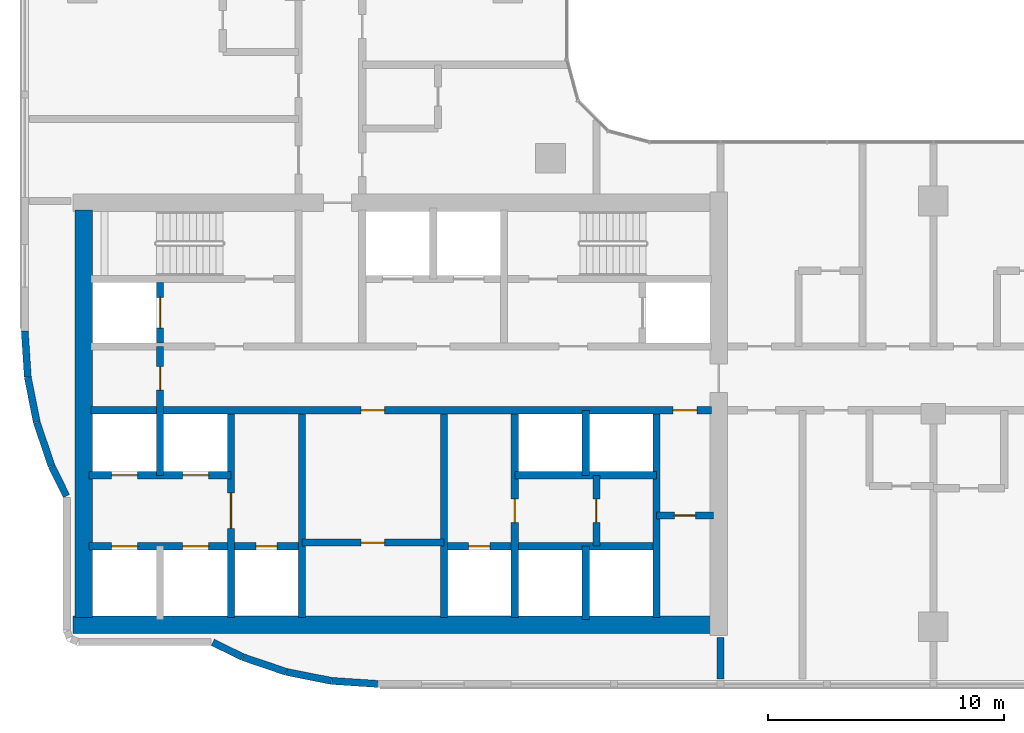
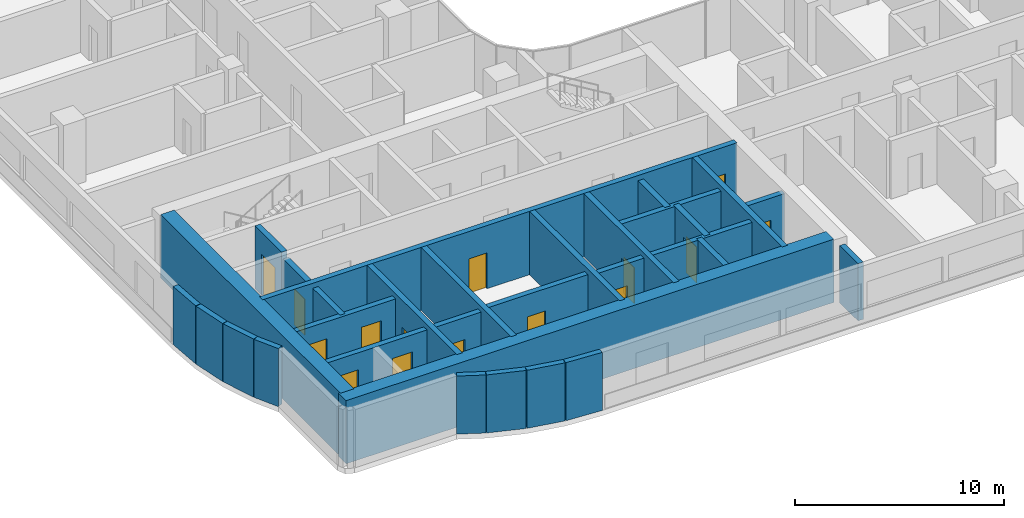
# One storey, part 10 of 23: 28 walls, 15 doors, 15 openings.
"""IFC4 building model written with IfcOpenShell, lengths in metres."""

from ifc_helpers import new_model, si_unit, direction, frame, frame_2d, origin, place, context, subcontext, project, spatial, rectangle, extrude, material, layer, layer_set, type_object, element, fill, save


model = new_model("IFC4")

# Units and contexts
model_context = context("Model", 3, precision=1e-05, world=origin(), true_north=direction((0.0, 1.0)))
body_context = subcontext(model_context, "Body", "Model", "MODEL_VIEW")
ifc_project = project(units=[si_unit("LENGTHUNIT", "METRE"), si_unit("AREAUNIT", "SQUARE_METRE"), si_unit("VOLUMEUNIT", "CUBIC_METRE"), si_unit("PLANEANGLEUNIT", "RADIAN"), si_unit("MASSUNIT", "GRAM", prefix="KILO")], contexts=[model_context])

# Site, building, storey
site_placement = place(None, origin())
site = spatial("IfcSite", under=ifc_project, at=site_placement, CompositionType="ELEMENT")
building_placement = place(site_placement, origin())
building = spatial("IfcBuilding", under=site, at=building_placement, Name="Ogive Portal Towers", CompositionType="ELEMENT")
storey_placement = place(building_placement, frame((0.0, 0.0, 120.39990234375)))
storey = spatial("IfcBuildingStorey", under=building, at=storey_placement, Name="L29", CompositionType="ELEMENT", Elevation=120.39990234375)

# Wall, opening, door
ifc_material_1 = material(Name="Concrete C60/75", Category="concrete")
ifc_layer_1 = layer(ifc_material_1, 0.300048828125)
ifc_layer_set_1 = layer_set([ifc_layer_1], Name="CORE WALL 300 C60")
wall_type_1 = type_object("IfcWallType", Name="CORE WALL 300 C60", PredefinedType="SHEAR", material=ifc_layer_set_1)
wall_1_placement = place(storey_placement, frame((37.800048828125, 21.875, 0.0), z_axis=(0.0, 0.0, 1.0), x_axis=(0.0, 1.0, 0.0)))
wall_1 = element("IfcWall", 1, at=wall_1_placement, inside=storey, type_object=wall_type_1, Name="Core wall X1 L29", PredefinedType="SHEAR", context=body_context, shape_type="SweptSolid", body=[
    extrude(rectangle(XDim=8.625, YDim=0.300048828125, at=frame_2d((4.3125, 0.0))), origin(), (0.0, 0.0, 1.0), 3.7001953125),
])
opening_1_placement = place(wall_1_placement, frame((3.77490234375, 0.0, 0.0)))
opening_1 = element("IfcOpeningElement", 2, at=opening_1_placement, cuts=wall_1, Name="Opening D10-001", PredefinedType="OPENING", context=body_context, shape_type="SweptSolid", body=[
    extrude(rectangle(XDim=1.5, YDim=2.10009765625, at=frame_2d((0.75, 1.050048828125))), frame((0.0, 0.16015625, 0.0), z_axis=(0.0, -1.0, 0.0), x_axis=(1.0, 0.0, 0.0)), (0.0, 0.0, 1.0), 0.320068359375),
])
ifc_material_2 = material(Name="Steel fire door", Category="steel")
door_type_1 = type_object("IfcDoorType", Name="DT-SWING-1500x2100-FD90S", OperationType="SINGLE_SWING_LEFT", PredefinedType="DOOR", material=ifc_material_2)
door_1_placement = place(opening_1_placement, origin())
door_1 = element("IfcDoor", 3, at=door_1_placement, inside=storey, type_object=door_type_1, Name="Door D10-001", OperationType="SINGLE_SWING_LEFT", OverallHeight=2.10009765625, OverallWidth=1.5, PredefinedType="DOOR", context=body_context, shape_type="SweptSolid", body=[
    extrude(rectangle(XDim=1.5, YDim=2.10009765625, at=frame_2d((0.75, 1.050048828125))), frame((0.0, 0.02490234375, 0.0), z_axis=(0.0, -1.0, 0.0), x_axis=(1.0, 0.0, 0.0)), (0.0, 0.0, 1.0), 0.050048828125),
])
fill(opening_1, door_1)

# Walls
for number, where, z_axis, x_axis, name in (
    (4, (40.800048828125, 21.875, 0.0), (0.0, 0.0, 1.0), (0.0, 1.0, 0.0), "Core wall X2 L29"),
    (5, (46.800048828125, 21.875, 0.0), (0.0, 0.0, 1.0), (0.0, 1.0, 0.0), "Core wall X3 L29"),
):
    element("IfcWall", number, at=place(storey_placement, frame(where, z_axis=z_axis, x_axis=x_axis)), inside=storey, type_object=wall_type_1, Name=name, PredefinedType="SHEAR", context=body_context, shape_type="SweptSolid", body=[
        extrude(rectangle(XDim=8.625, YDim=0.300048828125, at=frame_2d((4.3125, 0.0))), origin(), (0.0, 0.0, 1.0), 3.7001953125),
    ])

# Wall, opening, door
wall_2_placement = place(storey_placement, frame((49.800048828125, 21.875, 0.0), z_axis=(0.0, 0.0, 1.0), x_axis=(0.0, 1.0, 0.0)))
wall_2 = element("IfcWall", 6, at=wall_2_placement, inside=storey, type_object=wall_type_1, Name="Core wall X4 L29", PredefinedType="SHEAR", context=body_context, shape_type="SweptSolid", body=[
    extrude(rectangle(XDim=8.625, YDim=0.300048828125, at=frame_2d((4.3125, 0.0))), origin(), (0.0, 0.0, 1.0), 3.7001953125),
])
opening_2_placement = place(wall_2_placement, frame((4.02490234375, 0.0, 0.0)))
opening_2 = element("IfcOpeningElement", 7, at=opening_2_placement, cuts=wall_2, Name="Opening D10-023", PredefinedType="OPENING", context=body_context, shape_type="SweptSolid", body=[
    extrude(rectangle(XDim=1.0, YDim=2.10009765625, at=frame_2d((0.5, 1.050048828125))), frame((0.0, 0.16015625, 0.0), z_axis=(0.0, -1.0, 0.0), x_axis=(1.0, 0.0, 0.0)), (0.0, 0.0, 1.0), 0.320068359375),
])
door_type_2 = type_object("IfcDoorType", Name="DT-SWING-1000x2100-FD90S", OperationType="SINGLE_SWING_LEFT", PredefinedType="DOOR", material=ifc_material_2)
door_2_placement = place(opening_2_placement, origin())
door_2 = element("IfcDoor", 8, at=door_2_placement, inside=storey, type_object=door_type_2, Name="Door D10-023", OperationType="SINGLE_SWING_LEFT", OverallHeight=2.10009765625, OverallWidth=1.0, PredefinedType="DOOR", context=body_context, shape_type="SweptSolid", body=[
    extrude(rectangle(XDim=1.0, YDim=2.10009765625, at=frame_2d((0.5, 1.050048828125))), frame((0.0, 0.02490234375, 0.0), z_axis=(0.0, -1.0, 0.0), x_axis=(1.0, 0.0, 0.0)), (0.0, 0.0, 1.0), 0.050048828125),
])
fill(opening_2, door_2)

# Wall
wall_3_placement = place(storey_placement, frame((55.800048828125, 21.875, 0.0), z_axis=(0.0, 0.0, 1.0), x_axis=(0.0, 1.0, 0.0)))
element("IfcWall", 9, at=wall_3_placement, inside=storey, type_object=wall_type_1, Name="Core wall X5 L29", PredefinedType="SHEAR", context=body_context, shape_type="SweptSolid", body=[
    extrude(rectangle(XDim=8.625, YDim=0.300048828125, at=frame_2d((4.3125, 0.0))), origin(), (0.0, 0.0, 1.0), 3.7001953125),
])

# Wall, openings, doors
wall_4_placement = place(storey_placement, frame((31.875, 30.64990234375, 0.0), z_axis=(0.0, 0.0, 1.0), x_axis=(1.0, 0.0, 0.0)))
wall_4 = element("IfcWall", 10, at=wall_4_placement, inside=storey, type_object=wall_type_1, Name="Core wall Y1 L29", PredefinedType="SHEAR", context=body_context, shape_type="SweptSolid", body=[
    extrude(rectangle(XDim=26.25, YDim=0.300048828125, at=frame_2d((13.125, 0.0))), origin(), (0.0, 0.0, 1.0), 3.7001953125),
])
opening_3_placement = place(wall_4_placement, frame((24.625, 0.0, 0.0)))
opening_3 = element("IfcOpeningElement", 11, at=opening_3_placement, cuts=wall_4, Name="Opening D10-009", PredefinedType="OPENING", context=body_context, shape_type="SweptSolid", body=[
    extrude(rectangle(XDim=1.0, YDim=2.10009765625, at=frame_2d((0.5, 1.050048828125))), frame((0.0, 0.16015625, 0.0), z_axis=(0.0, -1.0, 0.0), x_axis=(1.0, 0.0, 0.0)), (0.0, 0.0, 1.0), 0.320068359375),
])
opening_4_placement = place(wall_4_placement, frame((11.425048828125, 0.0, 0.0)))
opening_4 = element("IfcOpeningElement", 12, at=opening_4_placement, cuts=wall_4, Name="Opening D10-021", PredefinedType="OPENING", context=body_context, shape_type="SweptSolid", body=[
    extrude(rectangle(XDim=1.0, YDim=2.10009765625, at=frame_2d((0.5, 1.050048828125))), frame((0.0, 0.16015625, 0.0), z_axis=(0.0, -1.0, 0.0), x_axis=(1.0, 0.0, 0.0)), (0.0, 0.0, 1.0), 0.320068359375),
])
door_3_placement = place(opening_3_placement, origin())
door_3 = element("IfcDoor", 13, at=door_3_placement, inside=storey, type_object=door_type_2, Name="Door D10-009", OperationType="SINGLE_SWING_LEFT", OverallHeight=2.10009765625, OverallWidth=1.0, PredefinedType="DOOR", context=body_context, shape_type="SweptSolid", body=[
    extrude(rectangle(XDim=1.0, YDim=2.10009765625, at=frame_2d((0.5, 1.050048828125))), frame((0.0, 0.02490234375, 0.0), z_axis=(0.0, -1.0, 0.0), x_axis=(1.0, 0.0, 0.0)), (0.0, 0.0, 1.0), 0.050048828125),
])
fill(opening_3, door_3)
door_4_placement = place(opening_4_placement, origin())
door_4 = element("IfcDoor", 14, at=door_4_placement, inside=storey, type_object=door_type_2, Name="Door D10-021", OperationType="SINGLE_SWING_LEFT", OverallHeight=2.10009765625, OverallWidth=1.0, PredefinedType="DOOR", context=body_context, shape_type="SweptSolid", body=[
    extrude(rectangle(XDim=1.0, YDim=2.10009765625, at=frame_2d((0.5, 1.050048828125))), frame((0.0, 0.02490234375, 0.0), z_axis=(0.0, -1.0, 0.0), x_axis=(1.0, 0.0, 0.0)), (0.0, 0.0, 1.0), 0.050048828125),
])
fill(opening_4, door_4)

# Wall, opening, door
wall_5_placement = place(storey_placement, frame((34.800048828125, 33.5, 0.0), z_axis=(0.0, 0.0, 1.0), x_axis=(0.0, 1.0, 0.0)))
wall_5 = element("IfcWall", 15, at=wall_5_placement, inside=storey, type_object=wall_type_1, Name="Core wall X8 L29", PredefinedType="SHEAR", context=body_context, shape_type="SweptSolid", body=[
    extrude(rectangle(XDim=2.550048828125, YDim=0.300048828125, at=frame_2d((1.27490234375, 0.0))), origin(), (0.0, 0.0, 1.0), 3.7001953125),
])
opening_5_placement = place(wall_5_placement, frame((0.625, 0.0, 0.0)))
opening_5 = element("IfcOpeningElement", 16, at=opening_5_placement, cuts=wall_5, Name="Opening D10-019", PredefinedType="OPENING", context=body_context, shape_type="SweptSolid", body=[
    extrude(rectangle(XDim=1.300048828125, YDim=2.39990234375, at=frame_2d((0.64990234375, 1.199951171875))), frame((0.0, 0.16015625, 0.0), z_axis=(0.0, -1.0, 0.0), x_axis=(1.0, 0.0, 0.0)), (0.0, 0.0, 1.0), 0.320068359375),
])
ifc_material_3 = material(Name="Stainless steel", Category="steel")
door_type_3 = type_object("IfcDoorType", Name="DT-LD-1300x2400", OperationType="SLIDING_TO_LEFT", PredefinedType="DOOR", material=ifc_material_3)
door_5_placement = place(opening_5_placement, origin())
door_5 = element("IfcDoor", 17, at=door_5_placement, inside=storey, type_object=door_type_3, Name="Door D10-019", OperationType="SLIDING_TO_LEFT", OverallHeight=2.39990234375, OverallWidth=1.300048828125, PredefinedType="DOOR", context=body_context, shape_type="SweptSolid", body=[
    extrude(rectangle(XDim=1.300048828125, YDim=2.39990234375, at=frame_2d((0.64990234375, 1.199951171875))), frame((0.0, 0.02490234375, 0.0), z_axis=(0.0, -1.0, 0.0), x_axis=(1.0, 0.0, 0.0)), (0.0, 0.0, 1.0), 0.050048828125),
])
fill(opening_5, door_5)

# Walls
ifc_layer_2 = layer(ifc_material_1, 0.75)
ifc_layer_set_2 = layer_set([ifc_layer_2], Name="CORE WALL 750 C60")
wall_type_2 = type_object("IfcWallType", Name="CORE WALL 750 C60", PredefinedType="SHEAR", material=ifc_layer_set_2)
wall_6_placement = place(storey_placement, frame((31.574951171875, 21.875, 0.0), z_axis=(0.0, 0.0, 1.0), x_axis=(0.0, 1.0, 0.0)))
element("IfcWall", 18, at=wall_6_placement, inside=storey, type_object=wall_type_2, Name="Core wall W L29", PredefinedType="SHEAR", context=body_context, shape_type="SweptSolid", body=[
    extrude(rectangle(XDim=17.25, YDim=0.75, at=frame_2d((8.625, 0.0))), origin(), (0.0, 0.0, 1.0), 3.7001953125),
])
wall_7_placement = place(storey_placement, frame((31.125, 21.574951171875, 0.0), z_axis=(0.0, 0.0, 1.0), x_axis=(1.0, 0.0, 0.0)))
element("IfcWall", 19, at=wall_7_placement, inside=storey, type_object=wall_type_2, Name="Core wall S L29", PredefinedType="SHEAR", context=body_context, shape_type="SweptSolid", body=[
    extrude(rectangle(XDim=27.0, YDim=0.75, at=frame_2d((13.5, 0.0))), origin(), (0.0, 0.0, 1.0), 3.7001953125),
])
ifc_material_4 = material(Name="Limestone cladding on lightweight block wall", Category="masonry")
ifc_layer_3 = layer(ifc_material_4, 0.300048828125)
ifc_layer_set_3 = layer_set([ifc_layer_3], Name="EXTERNAL WALL 300 STONE")
wall_type_3 = type_object("IfcWallType", Name="EXTERNAL WALL 300 STONE", PredefinedType="SOLIDWALL", material=ifc_layer_set_3)
wall_8_placement = place(storey_placement, frame((37.02490234375, 20.83447265625, 0.0), z_axis=(0.0, 0.0, 1.0), x_axis=(0.896925860522, -0.442180959254, 0.0)))
element("IfcWall", 20, at=wall_8_placement, inside=storey, type_object=wall_type_3, Name="A:L29:f04:r0:wall", PredefinedType="SOLIDWALL", context=body_context, shape_type="SweptSolid", body=[
    extrude(rectangle(XDim=1.399169921875, YDim=0.300048828125, at=frame_2d((0.69970703125, 0.0))), origin(), (0.0, 0.0, 1.0), 3.400146484375),
])
wall_9_placement = place(storey_placement, frame((38.2978515625, 20.208251953125, 0.0), z_axis=(0.0, 0.0, 1.0), x_axis=(0.946912791905, -0.321490535672, 0.0)))
element("IfcWall", 21, at=wall_9_placement, inside=storey, type_object=wall_type_3, Name="A:L29:f05:r0:wall", PredefinedType="SOLIDWALL", context=body_context, shape_type="SweptSolid", body=[
    extrude(rectangle(XDim=1.9326171875, YDim=0.300048828125, at=frame_2d((0.96630859375, 0.0))), origin(), (0.0, 0.0, 1.0), 3.400146484375),
])
wall_10_placement = place(storey_placement, frame((40.14697265625, 19.58203125, 0.0), z_axis=(0.0, 0.0, 1.0), x_axis=(0.980764889473, -0.195192806162, 0.0)))
element("IfcWall", 22, at=wall_10_placement, inside=storey, type_object=wall_type_3, Name="A:L29:f06:r0:wall", PredefinedType="SOLIDWALL", context=body_context, shape_type="SweptSolid", body=[
    extrude(rectangle(XDim=1.932373046875, YDim=0.300048828125, at=frame_2d((0.96630859375, 0.0))), origin(), (0.0, 0.0, 1.0), 3.400146484375),
])
for number, where, z_axis, x_axis, name in (
    (23, (42.061767578125, 19.202392578125, 0.0), (0.0, 0.0, 1.0), (0.997861789646, -0.065359381612, 0.0), "A:L29:f07:r0:wall"),
    (24, (29.075439453125, 34.0, 0.0), (0.0, 0.0, 1.0), (0.065359381612, -0.997861789646, 0.0), "A:L29:f28:r0:wall"),
):
    element("IfcWall", number, at=place(storey_placement, frame(where, z_axis=z_axis, x_axis=x_axis)), inside=storey, type_object=wall_type_3, Name=name, PredefinedType="SOLIDWALL", context=body_context, shape_type="SweptSolid", body=[
        extrude(rectangle(XDim=1.9423828125, YDim=0.300048828125, at=frame_2d((0.97119140625, 0.0))), origin(), (0.0, 0.0, 1.0), 3.400146484375),
    ])
wall_11_placement = place(storey_placement, frame((29.204833984375, 32.042236328125, 0.0), z_axis=(0.0, 0.0, 1.0), x_axis=(0.195192806162, -0.980764889473, 0.0)))
element("IfcWall", 25, at=wall_11_placement, inside=storey, type_object=wall_type_3, Name="A:L29:f29:r0:wall", PredefinedType="SOLIDWALL", context=body_context, shape_type="SweptSolid", body=[
    extrude(rectangle(XDim=1.932373046875, YDim=0.300048828125, at=frame_2d((0.96630859375, 0.0))), origin(), (0.0, 0.0, 1.0), 3.400146484375),
])
wall_12_placement = place(storey_placement, frame((29.5869140625, 30.1279296875, 0.0), z_axis=(0.0, 0.0, 1.0), x_axis=(0.321490535672, -0.946912791905, 0.0)))
element("IfcWall", 26, at=wall_12_placement, inside=storey, type_object=wall_type_3, Name="A:L29:f30:r0:wall", PredefinedType="SOLIDWALL", context=body_context, shape_type="SweptSolid", body=[
    extrude(rectangle(XDim=1.9326171875, YDim=0.300048828125, at=frame_2d((0.96630859375, 0.0))), origin(), (0.0, 0.0, 1.0), 3.400146484375),
])
wall_13_placement = place(storey_placement, frame((30.2158203125, 28.27978515625, 0.0), z_axis=(0.0, 0.0, 1.0), x_axis=(0.442180959254, -0.896925860522, 0.0)))
element("IfcWall", 27, at=wall_13_placement, inside=storey, type_object=wall_type_3, Name="A:L29:f31:r0:wall", PredefinedType="SOLIDWALL", context=body_context, shape_type="SweptSolid", body=[
    extrude(rectangle(XDim=1.399169921875, YDim=0.300048828125, at=frame_2d((0.69970703125, 0.0))), origin(), (0.0, 0.0, 1.0), 3.400146484375),
])

# Wall, opening, door
ifc_material_5 = material(Name="Gypsum board partition on steel studs", Category="steel")
ifc_layer_4 = layer(ifc_material_5, 0.300048828125)
ifc_layer_set_4 = layer_set([ifc_layer_4], Name="WT-PART-300")
wall_type_4 = type_object("IfcWallType", Name="WT-PART-300", PredefinedType="PARTITIONING", material=ifc_layer_set_4)
wall_14_placement = place(storey_placement, frame((40.800048828125, 25.050048828125, 0.0), z_axis=(0.0, 0.0, 1.0), x_axis=(1.0, 0.0, 0.0)))
wall_14 = element("IfcWall", 28, at=wall_14_placement, inside=storey, type_object=wall_type_4, Name="Wall pw:003:L29", PredefinedType="PARTITIONING", context=body_context, shape_type="SweptSolid", body=[
    extrude(rectangle(XDim=6.0, YDim=0.300048828125, at=frame_2d((3.0, 0.0))), origin(), (0.0, 0.0, 1.0), 3.400146484375),
])
opening_6_placement = place(wall_14_placement, frame((2.5, 0.0, 0.0)))
opening_6 = element("IfcOpeningElement", 29, at=opening_6_placement, cuts=wall_14, Name="Opening D10-022", PredefinedType="OPENING", context=body_context, shape_type="SweptSolid", body=[
    extrude(rectangle(XDim=1.0, YDim=2.10009765625, at=frame_2d((0.5, 1.050048828125))), frame((0.0, 0.16015625, 0.0), z_axis=(0.0, -1.0, 0.0), x_axis=(1.0, 0.0, 0.0)), (0.0, 0.0, 1.0), 0.320068359375),
])
door_type_4 = type_object("IfcDoorType", Name="DT-SWING-1000x2100-FD60S", OperationType="SINGLE_SWING_LEFT", PredefinedType="DOOR", material=ifc_material_2)
door_6_placement = place(opening_6_placement, origin())
door_6 = element("IfcDoor", 30, at=door_6_placement, inside=storey, type_object=door_type_4, Name="Door D10-022", OperationType="SINGLE_SWING_RIGHT", OverallHeight=2.10009765625, OverallWidth=1.0, PredefinedType="DOOR", context=body_context, shape_type="SweptSolid", body=[
    extrude(rectangle(XDim=1.0, YDim=2.10009765625, at=frame_2d((0.5, 1.050048828125))), frame((0.0, 0.02490234375, 0.0), z_axis=(0.0, -1.0, 0.0), x_axis=(1.0, 0.0, 0.0)), (0.0, 0.0, 1.0), 0.050048828125),
])
fill(opening_6, door_6)

wall_15_placement = place(storey_placement, frame((55.800048828125, 26.199951171875, 0.0), z_axis=(0.0, 0.0, 1.0), x_axis=(1.0, 0.0, 0.0)))
wall_15 = element("IfcWall", 31, at=wall_15_placement, inside=storey, type_object=wall_type_4, Name="Wall pw:004:L29", PredefinedType="PARTITIONING", context=body_context, shape_type="SweptSolid", body=[
    extrude(rectangle(XDim=2.39990234375, YDim=0.300048828125, at=frame_2d((1.199951171875, 0.0))), origin(), (0.0, 0.0, 1.0), 3.400146484375),
])
opening_7_placement = place(wall_15_placement, frame((0.75, 0.0, 0.0)))
opening_7 = element("IfcOpeningElement", 32, at=opening_7_placement, cuts=wall_15, Name="Opening D10-010", PredefinedType="OPENING", context=body_context, shape_type="SweptSolid", body=[
    extrude(rectangle(XDim=0.89990234375, YDim=2.10009765625, at=frame_2d((0.449951171875, 1.050048828125))), frame((0.0, 0.16015625, 0.0), z_axis=(0.0, -1.0, 0.0), x_axis=(1.0, 0.0, 0.0)), (0.0, 0.0, 1.0), 0.320068359375),
])
door_type_5 = type_object("IfcDoorType", Name="DT-SWING-900x2100-FD60S", OperationType="SINGLE_SWING_LEFT", PredefinedType="DOOR", material=ifc_material_2)
door_7_placement = place(opening_7_placement, origin())
door_7 = element("IfcDoor", 33, at=door_7_placement, inside=storey, type_object=door_type_5, Name="Door D10-010", OperationType="SINGLE_SWING_RIGHT", OverallHeight=2.10009765625, OverallWidth=0.89990234375, PredefinedType="DOOR", context=body_context, shape_type="SweptSolid", body=[
    extrude(rectangle(XDim=0.89990234375, YDim=2.10009765625, at=frame_2d((0.449951171875, 1.050048828125))), frame((0.0, 0.02490234375, 0.0), z_axis=(0.0, -1.0, 0.0), x_axis=(1.0, 0.0, 0.0)), (0.0, 0.0, 1.0), 0.050048828125),
])
fill(opening_7, door_7)

# Wall
ifc_layer_5 = layer(ifc_material_5, 0.300048828125)
ifc_layer_set_5 = layer_set([ifc_layer_5], Name="WT-PART-300-EI 60")
wall_type_5 = type_object("IfcWallType", Name="WT-PART-300-EI 60", PredefinedType="PARTITIONING", material=ifc_layer_set_5)
wall_16_placement = place(storey_placement, frame((58.5, 19.27490234375, 0.0), z_axis=(0.0, 0.0, 1.0), x_axis=(0.0, 1.0, 0.0)))
element("IfcWall", 34, at=wall_16_placement, inside=storey, type_object=wall_type_5, Name="Wall L29:w046", PredefinedType="PARTITIONING", context=body_context, shape_type="SweptSolid", body=[
    extrude(rectangle(XDim=1.755126953125, YDim=0.300048828125, at=frame_2d((0.87744140625, 0.0))), origin(), (0.0, 0.0, 1.0), 3.35009765625),
])

# Wall, openings, doors
ifc_material_6 = material(Name="Concrete C40/50", Category="concrete")
ifc_layer_6 = layer(ifc_material_6, 0.300048828125)
ifc_layer_set_6 = layer_set([ifc_layer_6], Name="WT-SHAFT-300")
wall_type_6 = type_object("IfcWallType", Name="WT-SHAFT-300", PredefinedType="SOLIDWALL", material=ifc_layer_set_6)
wall_17_placement = place(storey_placement, frame((31.800048828125, 24.89990234375, 0.0), z_axis=(0.0, 0.0, 1.0), x_axis=(1.0, 0.0, 0.0)))
wall_17 = element("IfcWall", 35, at=wall_17_placement, inside=storey, type_object=wall_type_6, Name="Wall pw:001:L29", PredefinedType="SOLIDWALL", context=body_context, shape_type="SweptSolid", body=[
    extrude(rectangle(XDim=9.0, YDim=0.300048828125, at=frame_2d((4.5, 0.0))), origin(), (0.0, 0.0, 1.0), 3.400146484375),
])
opening_8_placement = place(wall_17_placement, frame((7.050048828125, 0.0, 0.0)))
opening_8 = element("IfcOpeningElement", 36, at=opening_8_placement, cuts=wall_17, Name="Opening D10-007", PredefinedType="OPENING", context=body_context, shape_type="SweptSolid", body=[
    extrude(rectangle(XDim=0.89990234375, YDim=2.10009765625, at=frame_2d((0.449951171875, 1.050048828125))), frame((0.0, 0.16015625, 0.0), z_axis=(0.0, -1.0, 0.0), x_axis=(1.0, 0.0, 0.0)), (0.0, 0.0, 1.0), 0.320068359375),
])
opening_9_placement = place(wall_17_placement, frame((0.949951171875, 0.0, 0.0)))
opening_9 = element("IfcOpeningElement", 37, at=opening_9_placement, cuts=wall_17, Name="Opening D10-013", PredefinedType="OPENING", context=body_context, shape_type="SweptSolid", body=[
    extrude(rectangle(XDim=1.10009765625, YDim=2.39990234375, at=frame_2d((0.550048828125, 1.199951171875))), frame((0.0, 0.16015625, 0.0), z_axis=(0.0, -1.0, 0.0), x_axis=(1.0, 0.0, 0.0)), (0.0, 0.0, 1.0), 0.320068359375),
])
opening_10_placement = place(wall_17_placement, frame((3.949951171875, 0.0, 0.0)))
opening_10 = element("IfcOpeningElement", 38, at=opening_10_placement, cuts=wall_17, Name="Opening D10-014", PredefinedType="OPENING", context=body_context, shape_type="SweptSolid", body=[
    extrude(rectangle(XDim=1.10009765625, YDim=2.39990234375, at=frame_2d((0.550048828125, 1.199951171875))), frame((0.0, 0.16015625, 0.0), z_axis=(0.0, -1.0, 0.0), x_axis=(1.0, 0.0, 0.0)), (0.0, 0.0, 1.0), 0.320068359375),
])
door_type_6 = type_object("IfcDoorType", Name="DT-LD-1100x2400", OperationType="SLIDING_TO_LEFT", PredefinedType="DOOR", material=ifc_material_3)
door_8_placement = place(opening_9_placement, origin())
door_8 = element("IfcDoor", 39, at=door_8_placement, inside=storey, type_object=door_type_6, Name="Door D10-013", OperationType="SLIDING_TO_LEFT", OverallHeight=2.39990234375, OverallWidth=1.10009765625, PredefinedType="DOOR", context=body_context, shape_type="SweptSolid", body=[
    extrude(rectangle(XDim=1.10009765625, YDim=2.39990234375, at=frame_2d((0.550048828125, 1.199951171875))), frame((0.0, 0.02490234375, 0.0), z_axis=(0.0, -1.0, 0.0), x_axis=(1.0, 0.0, 0.0)), (0.0, 0.0, 1.0), 0.050048828125),
])
fill(opening_9, door_8)
door_9_placement = place(opening_10_placement, origin())
door_9 = element("IfcDoor", 40, at=door_9_placement, inside=storey, type_object=door_type_6, Name="Door D10-014", OperationType="SLIDING_TO_LEFT", OverallHeight=2.39990234375, OverallWidth=1.10009765625, PredefinedType="DOOR", context=body_context, shape_type="SweptSolid", body=[
    extrude(rectangle(XDim=1.10009765625, YDim=2.39990234375, at=frame_2d((0.550048828125, 1.199951171875))), frame((0.0, 0.02490234375, 0.0), z_axis=(0.0, -1.0, 0.0), x_axis=(1.0, 0.0, 0.0)), (0.0, 0.0, 1.0), 0.050048828125),
])
fill(opening_10, door_9)
door_type_7 = type_object("IfcDoorType", Name="DT-SWING-900x2100-FD90S", OperationType="SINGLE_SWING_LEFT", PredefinedType="DOOR", material=ifc_material_2)
door_10_placement = place(opening_8_placement, origin())
door_10 = element("IfcDoor", 41, at=door_10_placement, inside=storey, type_object=door_type_7, Name="Riser access door D10-007", OperationType="SINGLE_SWING_LEFT", OverallHeight=2.10009765625, OverallWidth=0.89990234375, PredefinedType="DOOR", context=body_context, shape_type="SweptSolid", body=[
    extrude(rectangle(XDim=0.89990234375, YDim=2.10009765625, at=frame_2d((0.449951171875, 1.050048828125))), frame((0.0, 0.02490234375, 0.0), z_axis=(0.0, -1.0, 0.0), x_axis=(1.0, 0.0, 0.0)), (0.0, 0.0, 1.0), 0.050048828125),
])
fill(opening_8, door_10)

# Wall, opening, door
wall_18_placement = place(storey_placement, frame((46.800048828125, 24.89990234375, 0.0), z_axis=(0.0, 0.0, 1.0), x_axis=(1.0, 0.0, 0.0)))
wall_18 = element("IfcWall", 42, at=wall_18_placement, inside=storey, type_object=wall_type_6, Name="Wall pw:002:L29", PredefinedType="SOLIDWALL", context=body_context, shape_type="SweptSolid", body=[
    extrude(rectangle(XDim=9.0, YDim=0.300048828125, at=frame_2d((4.5, 0.0))), origin(), (0.0, 0.0, 1.0), 3.400146484375),
])
opening_11_placement = place(wall_18_placement, frame((1.050048828125, 0.0, 0.0)))
opening_11 = element("IfcOpeningElement", 43, at=opening_11_placement, cuts=wall_18, Name="Opening D10-008", PredefinedType="OPENING", context=body_context, shape_type="SweptSolid", body=[
    extrude(rectangle(XDim=0.89990234375, YDim=2.10009765625, at=frame_2d((0.449951171875, 1.050048828125))), frame((0.0, 0.16015625, 0.0), z_axis=(0.0, -1.0, 0.0), x_axis=(1.0, 0.0, 0.0)), (0.0, 0.0, 1.0), 0.320068359375),
])
door_11_placement = place(opening_11_placement, origin())
door_11 = element("IfcDoor", 44, at=door_11_placement, inside=storey, type_object=door_type_7, Name="Riser access door D10-008", OperationType="SINGLE_SWING_RIGHT", OverallHeight=2.10009765625, OverallWidth=0.89990234375, PredefinedType="DOOR", context=body_context, shape_type="SweptSolid", body=[
    extrude(rectangle(XDim=0.89990234375, YDim=2.10009765625, at=frame_2d((0.449951171875, 1.050048828125))), frame((0.0, 0.02490234375, 0.0), z_axis=(0.0, -1.0, 0.0), x_axis=(1.0, 0.0, 0.0)), (0.0, 0.0, 1.0), 0.050048828125),
])
fill(opening_11, door_11)

# Wall, openings, doors
wall_19_placement = place(storey_placement, frame((31.800048828125, 27.89990234375, 0.0), z_axis=(0.0, 0.0, 1.0), x_axis=(1.0, 0.0, 0.0)))
wall_19 = element("IfcWall", 45, at=wall_19_placement, inside=storey, type_object=wall_type_6, Name="Wall pw:005:L29", PredefinedType="SOLIDWALL", context=body_context, shape_type="SweptSolid", body=[
    extrude(rectangle(XDim=6.0, YDim=0.300048828125, at=frame_2d((3.0, 0.0))), origin(), (0.0, 0.0, 1.0), 3.400146484375),
])
opening_12_placement = place(wall_19_placement, frame((0.949951171875, 0.0, 0.0)))
opening_12 = element("IfcOpeningElement", 46, at=opening_12_placement, cuts=wall_19, Name="Opening D10-015", PredefinedType="OPENING", context=body_context, shape_type="SweptSolid", body=[
    extrude(rectangle(XDim=1.10009765625, YDim=2.39990234375, at=frame_2d((0.550048828125, 1.199951171875))), frame((0.0, 0.16015625, 0.0), z_axis=(0.0, -1.0, 0.0), x_axis=(1.0, 0.0, 0.0)), (0.0, 0.0, 1.0), 0.320068359375),
])
opening_13_placement = place(wall_19_placement, frame((3.949951171875, 0.0, 0.0)))
opening_13 = element("IfcOpeningElement", 47, at=opening_13_placement, cuts=wall_19, Name="Opening D10-016", PredefinedType="OPENING", context=body_context, shape_type="SweptSolid", body=[
    extrude(rectangle(XDim=1.10009765625, YDim=2.39990234375, at=frame_2d((0.550048828125, 1.199951171875))), frame((0.0, 0.16015625, 0.0), z_axis=(0.0, -1.0, 0.0), x_axis=(1.0, 0.0, 0.0)), (0.0, 0.0, 1.0), 0.320068359375),
])
door_12_placement = place(opening_12_placement, origin())
door_12 = element("IfcDoor", 48, at=door_12_placement, inside=storey, type_object=door_type_6, Name="Door D10-015", OperationType="SLIDING_TO_LEFT", OverallHeight=2.39990234375, OverallWidth=1.10009765625, PredefinedType="DOOR", context=body_context, shape_type="SweptSolid", body=[
    extrude(rectangle(XDim=1.10009765625, YDim=2.39990234375, at=frame_2d((0.550048828125, 1.199951171875))), frame((0.0, 0.02490234375, 0.0), z_axis=(0.0, -1.0, 0.0), x_axis=(1.0, 0.0, 0.0)), (0.0, 0.0, 1.0), 0.050048828125),
])
fill(opening_12, door_12)
door_13_placement = place(opening_13_placement, origin())
door_13 = element("IfcDoor", 49, at=door_13_placement, inside=storey, type_object=door_type_6, Name="Door D10-016", OperationType="SLIDING_TO_LEFT", OverallHeight=2.39990234375, OverallWidth=1.10009765625, PredefinedType="DOOR", context=body_context, shape_type="SweptSolid", body=[
    extrude(rectangle(XDim=1.10009765625, YDim=2.39990234375, at=frame_2d((0.550048828125, 1.199951171875))), frame((0.0, 0.02490234375, 0.0), z_axis=(0.0, -1.0, 0.0), x_axis=(1.0, 0.0, 0.0)), (0.0, 0.0, 1.0), 0.050048828125),
])
fill(opening_13, door_13)

# Wall
wall_20_placement = place(storey_placement, frame((49.800048828125, 27.89990234375, 0.0), z_axis=(0.0, 0.0, 1.0), x_axis=(1.0, 0.0, 0.0)))
element("IfcWall", 50, at=wall_20_placement, inside=storey, type_object=wall_type_6, Name="Wall pw:006:L29", PredefinedType="SOLIDWALL", context=body_context, shape_type="SweptSolid", body=[
    extrude(rectangle(XDim=6.0, YDim=0.300048828125, at=frame_2d((3.0, 0.0))), origin(), (0.0, 0.0, 1.0), 3.400146484375),
])

# Wall, opening, door
wall_21_placement = place(storey_placement, frame((34.800048828125, 27.89990234375, 0.0), z_axis=(0.0, 0.0, 1.0), x_axis=(0.0, 1.0, 0.0)))
wall_21 = element("IfcWall", 51, at=wall_21_placement, inside=storey, type_object=wall_type_6, Name="Wall pw:008:L29", PredefinedType="SOLIDWALL", context=body_context, shape_type="SweptSolid", body=[
    extrude(rectangle(XDim=5.4501953125, YDim=0.300048828125, at=frame_2d((2.72509765625, 0.0))), origin(), (0.0, 0.0, 1.0), 3.400146484375),
])
opening_14_placement = place(wall_21_placement, frame((3.60009765625, 0.0, 0.0)))
opening_14 = element("IfcOpeningElement", 52, at=opening_14_placement, cuts=wall_21, Name="Opening D10-025", PredefinedType="OPENING", context=body_context, shape_type="SweptSolid", body=[
    extrude(rectangle(XDim=1.0, YDim=2.10009765625, at=frame_2d((0.5, 1.050048828125))), frame((0.0, 0.16015625, 0.0), z_axis=(0.0, -1.0, 0.0), x_axis=(1.0, 0.0, 0.0)), (0.0, 0.0, 1.0), 0.320068359375),
])
door_14_placement = place(opening_14_placement, origin())
door_14 = element("IfcDoor", 53, at=door_14_placement, inside=storey, type_object=door_type_2, Name="Door D10-025", OperationType="SINGLE_SWING_LEFT", OverallHeight=2.10009765625, OverallWidth=1.0, PredefinedType="DOOR", context=body_context, shape_type="SweptSolid", body=[
    extrude(rectangle(XDim=1.0, YDim=2.10009765625, at=frame_2d((0.5, 1.050048828125))), frame((0.0, 0.02490234375, 0.0), z_axis=(0.0, -1.0, 0.0), x_axis=(1.0, 0.0, 0.0)), (0.0, 0.0, 1.0), 0.050048828125),
])
fill(opening_14, door_14)

# Walls
wall_22_placement = place(storey_placement, frame((52.800048828125, 21.800048828125, 0.0), z_axis=(0.0, 0.0, 1.0), x_axis=(0.0, 1.0, 0.0)))
element("IfcWall", 54, at=wall_22_placement, inside=storey, type_object=wall_type_6, Name="Wall pw:010:L29", PredefinedType="SOLIDWALL", context=body_context, shape_type="SweptSolid", body=[
    extrude(rectangle(XDim=3.099853515625, YDim=0.300048828125, at=frame_2d((1.5498046875, 0.0))), origin(), (0.0, 0.0, 1.0), 3.400146484375),
])
wall_23_placement = place(storey_placement, frame((52.800048828125, 27.89990234375, 0.0), z_axis=(0.0, 0.0, 1.0), x_axis=(0.0, 1.0, 0.0)))
element("IfcWall", 55, at=wall_23_placement, inside=storey, type_object=wall_type_6, Name="Wall pw:011:L29", PredefinedType="SOLIDWALL", context=body_context, shape_type="SweptSolid", body=[
    extrude(rectangle(XDim=2.75, YDim=0.300048828125, at=frame_2d((1.375, 0.0))), origin(), (0.0, 0.0, 1.0), 3.400146484375),
])

# Wall, opening, door
wall_24_placement = place(storey_placement, frame((53.25, 24.89990234375, 0.0), z_axis=(0.0, 0.0, 1.0), x_axis=(0.0, 1.0, 0.0)))
wall_24 = element("IfcWall", 56, at=wall_24_placement, inside=storey, type_object=wall_type_6, Name="Wall pw:012:L29", PredefinedType="SOLIDWALL", context=body_context, shape_type="SweptSolid", body=[
    extrude(rectangle(XDim=3.0, YDim=0.300048828125, at=frame_2d((1.5, 0.0))), origin(), (0.0, 0.0, 1.0), 3.400146484375),
])
opening_15_placement = place(wall_24_placement, frame((1.0, 0.0, 0.0)))
opening_15 = element("IfcOpeningElement", 57, at=opening_15_placement, cuts=wall_24, Name="Opening D10-024", PredefinedType="OPENING", context=body_context, shape_type="SweptSolid", body=[
    extrude(rectangle(XDim=1.0, YDim=2.10009765625, at=frame_2d((0.5, 1.050048828125))), frame((0.0, 0.16015625, 0.0), z_axis=(0.0, -1.0, 0.0), x_axis=(1.0, 0.0, 0.0)), (0.0, 0.0, 1.0), 0.320068359375),
])
door_15_placement = place(opening_15_placement, origin())
door_15 = element("IfcDoor", 58, at=door_15_placement, inside=storey, type_object=door_type_2, Name="Door D10-024", OperationType="SINGLE_SWING_RIGHT", OverallHeight=2.10009765625, OverallWidth=1.0, PredefinedType="DOOR", context=body_context, shape_type="SweptSolid", body=[
    extrude(rectangle(XDim=1.0, YDim=2.10009765625, at=frame_2d((0.5, 1.050048828125))), frame((0.0, 0.02490234375, 0.0), z_axis=(0.0, -1.0, 0.0), x_axis=(1.0, 0.0, 0.0)), (0.0, 0.0, 1.0), 0.050048828125),
])
fill(opening_15, door_15)

save(model, "model.ifc")
